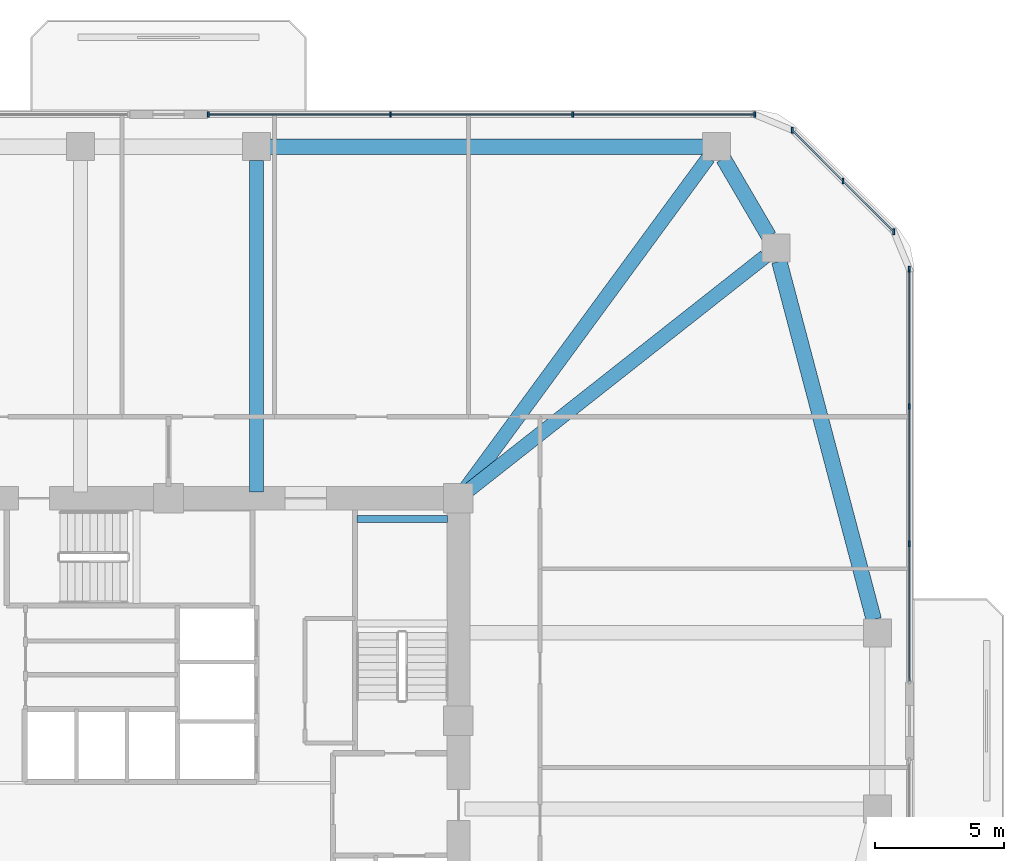
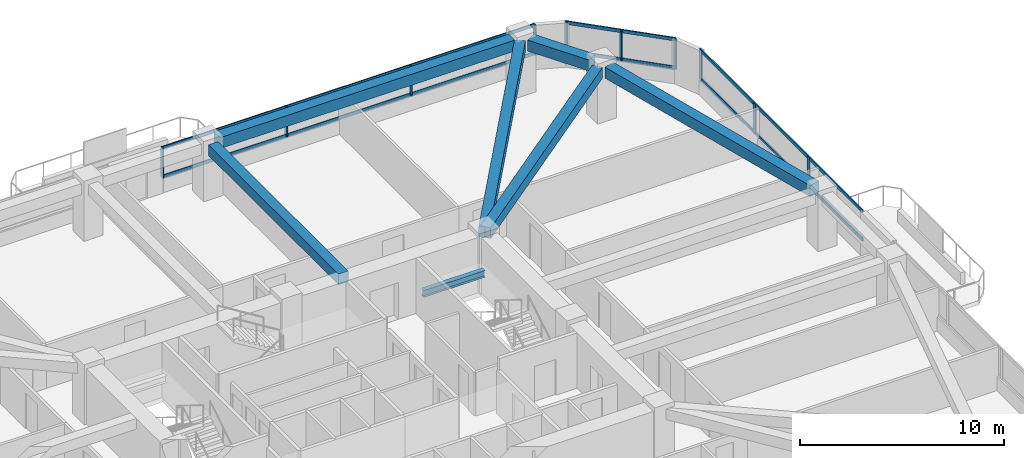
# One storey, part 7 of 14: 16 members, 7 beams, 3 elements without a shape of their own.
"""IFC4 building model written with IfcOpenShell, lengths in metres."""

from ifc_helpers import new_model, si_unit, derived_unit, direction, frame, origin, origin_2d, place, context, subcontext, project, spatial, rectangle, i_section, extrude, material, material_profile, profile_set, type_object, element, aggregate, save


model = new_model("IFC4")

# Units and contexts
model_context = context("Model", 3, precision=1e-05, world=origin(), true_north=direction((0.0, 1.0)))
body_context = subcontext(model_context, "Body", "Model", "MODEL_VIEW")
ifc_project = project(units=[si_unit("LENGTHUNIT", "METRE"), si_unit("AREAUNIT", "SQUARE_METRE"), si_unit("VOLUMEUNIT", "CUBIC_METRE"), si_unit("PLANEANGLEUNIT", "RADIAN"), si_unit("MASSUNIT", "GRAM", prefix="KILO"), derived_unit("THERMALTRANSMITTANCEUNIT", [(si_unit("POWERUNIT", "WATT"), 1), (si_unit("LENGTHUNIT", "METRE"), -2), (si_unit("THERMODYNAMICTEMPERATUREUNIT", "KELVIN"), -1)])], contexts=[model_context])

# Site, building, storey
site_placement = place(None, origin())
site = spatial("IfcSite", under=ifc_project, at=site_placement, CompositionType="ELEMENT")
building_placement = place(site_placement, origin())
building = spatial("IfcBuilding", under=site, at=building_placement, Name="Koralith Skygarden Medical Center", CompositionType="ELEMENT")
storey_placement = place(building_placement, frame((0.0, 0.0, 45.5400390625)))
storey = spatial("IfcBuildingStorey", under=building, at=storey_placement, Name="L11", CompositionType="ELEMENT", Elevation=45.5400390625)

# Curtain wall, members
ifc_material_1 = material(Name="Clear Laminated Glass", Category="glass")
curtain_wall_type = type_object("IfcCurtainWallType", Name="CW-2 Zone 1 Hurricane Unitised Curtain Wall", PredefinedType="NOTDEFINED", material=ifc_material_1)
curtain_wall_1_placement = place(storey_placement, origin())
curtain_wall_1 = element("IfcCurtainWall", 1, at=curtain_wall_1_placement, inside=storey, type_object=curtain_wall_type, Name="Curtain Wall CW-L11-E-R", PredefinedType="NOTDEFINED")
ifc_material_2 = material(Name="Aluminium 6063-T6", Category="aluminium")
ifc_material_profile_1 = material_profile(ifc_material_2, rectangle(XDim=0.071044921875, YDim=0.219970703125, at=origin_2d()), Name="MUL71X220")
ifc_profile_set_1 = profile_set([ifc_material_profile_1], Name="Aluminium 6063-T6")
member_type_1 = type_object("IfcMemberType", Name="CW-2 Extruded Mullion 71x220", PredefinedType="MULLION", material=ifc_profile_set_1)
member_1_placement = place(storey_placement, frame((65.6201171875, 32.741943359375, 0.849853515625), z_axis=(0.0, 0.0, 1.0), x_axis=(1.0, 0.0, 0.0)))
member_1 = element("IfcMember", 2, at=member_1_placement, type_object=member_type_1, Name="CW-L11-E-R Mullion 2", PredefinedType="MULLION", context=body_context, shape_type="SweptSolid", body=[
    extrude(rectangle(XDim=0.071044921875, YDim=0.219970703125, at=origin_2d()), origin(), (0.0, 0.0, 1.0), 1.800048828125),
])
member_2_placement = place(storey_placement, frame((65.6201171875, 38.04296875, 0.849853515625), z_axis=(0.0, 0.0, 1.0), x_axis=(1.0, 0.0, 0.0)))
member_2 = element("IfcMember", 3, at=member_2_placement, type_object=member_type_1, Name="CW-L11-E-R Mullion 3", PredefinedType="MULLION", context=body_context, shape_type="SweptSolid", body=[
    extrude(rectangle(XDim=0.071044921875, YDim=0.219970703125, at=origin_2d()), origin(), (0.0, 0.0, 1.0), 1.800048828125),
])
member_3_placement = place(storey_placement, frame((65.6201171875, 43.344970703125, 0.849853515625), z_axis=(0.0, 0.0, 1.0), x_axis=(1.0, 0.0, 0.0)))
member_3 = element("IfcMember", 4, at=member_3_placement, type_object=member_type_1, Name="CW-L11-E-R Mullion 4", PredefinedType="MULLION", context=body_context, shape_type="SweptSolid", body=[
    extrude(rectangle(XDim=0.071044921875, YDim=0.219970703125, at=origin_2d()), origin(), (0.0, 0.0, 1.0), 1.800048828125),
])

curtain_wall_2_placement = place(storey_placement, origin())
curtain_wall_2 = element("IfcCurtainWall", 5, at=curtain_wall_2_placement, inside=storey, type_object=curtain_wall_type, Name="Curtain Wall CW-L11-NE", PredefinedType="NOTDEFINED")
member_4_placement = place(storey_placement, frame((65.01904296875, 44.7958984375, 0.849853515625), z_axis=(0.0, 0.0, 1.0), x_axis=(1.0, 0.0, 0.0)))
member_4 = element("IfcMember", 6, at=member_4_placement, type_object=member_type_1, Name="CW-L11-NE Mullion 1", PredefinedType="MULLION", context=body_context, shape_type="SweptSolid", body=[
    extrude(rectangle(XDim=0.071044921875, YDim=0.219970703125, at=origin_2d()), origin(), (0.0, 0.0, 1.0), 1.800048828125),
])
member_5_placement = place(storey_placement, frame((63.05810546875, 46.758056640625, 0.849853515625), z_axis=(0.0, 0.0, 1.0), x_axis=(1.0, 0.0, 0.0)))
member_5 = element("IfcMember", 7, at=member_5_placement, type_object=member_type_1, Name="CW-L11-NE Mullion 2", PredefinedType="MULLION", context=body_context, shape_type="SweptSolid", body=[
    extrude(rectangle(XDim=0.071044921875, YDim=0.219970703125, at=origin_2d()), origin(), (0.0, 0.0, 1.0), 1.800048828125),
])
member_6_placement = place(storey_placement, frame((61.095947265625, 48.718994140625, 0.849853515625), z_axis=(0.0, 0.0, 1.0), x_axis=(1.0, 0.0, 0.0)))
member_6 = element("IfcMember", 8, at=member_6_placement, type_object=member_type_1, Name="CW-L11-NE Mullion 3", PredefinedType="MULLION", context=body_context, shape_type="SweptSolid", body=[
    extrude(rectangle(XDim=0.071044921875, YDim=0.219970703125, at=origin_2d()), origin(), (0.0, 0.0, 1.0), 1.800048828125),
])

curtain_wall_3_placement = place(storey_placement, origin())
curtain_wall_3 = element("IfcCurtainWall", 9, at=curtain_wall_3_placement, inside=storey, type_object=curtain_wall_type, Name="Curtain Wall CW-L11-N-L", PredefinedType="NOTDEFINED")
member_7_placement = place(storey_placement, frame((59.64501953125, 49.320068359375, 0.849853515625), z_axis=(0.0, 0.0, 1.0), x_axis=(1.0, 0.0, 0.0)))
member_7 = element("IfcMember", 10, at=member_7_placement, type_object=member_type_1, Name="CW-L11-N-L Mullion 1", PredefinedType="MULLION", context=body_context, shape_type="SweptSolid", body=[
    extrude(rectangle(XDim=0.071044921875, YDim=0.219970703125, at=origin_2d()), origin(), (0.0, 0.0, 1.0), 1.800048828125),
])
member_8_placement = place(storey_placement, frame((52.610107421875, 49.320068359375, 0.849853515625), z_axis=(0.0, 0.0, 1.0), x_axis=(1.0, 0.0, 0.0)))
member_8 = element("IfcMember", 11, at=member_8_placement, type_object=member_type_1, Name="CW-L11-N-L Mullion 2", PredefinedType="MULLION", context=body_context, shape_type="SweptSolid", body=[
    extrude(rectangle(XDim=0.071044921875, YDim=0.219970703125, at=origin_2d()), origin(), (0.0, 0.0, 1.0), 1.800048828125),
])
member_9_placement = place(storey_placement, frame((45.574951171875, 49.320068359375, 0.849853515625), z_axis=(0.0, 0.0, 1.0), x_axis=(1.0, 0.0, 0.0)))
member_9 = element("IfcMember", 12, at=member_9_placement, type_object=member_type_1, Name="CW-L11-N-L Mullion 3", PredefinedType="MULLION", context=body_context, shape_type="SweptSolid", body=[
    extrude(rectangle(XDim=0.071044921875, YDim=0.219970703125, at=origin_2d()), origin(), (0.0, 0.0, 1.0), 1.800048828125),
])
member_10_placement = place(storey_placement, frame((38.5400390625, 49.320068359375, 0.849853515625), z_axis=(0.0, 0.0, 1.0), x_axis=(1.0, 0.0, 0.0)))
member_10 = element("IfcMember", 13, at=member_10_placement, type_object=member_type_1, Name="CW-L11-N-L Mullion 4", PredefinedType="MULLION", context=body_context, shape_type="SweptSolid", body=[
    extrude(rectangle(XDim=0.071044921875, YDim=0.219970703125, at=origin_2d()), origin(), (0.0, 0.0, 1.0), 1.800048828125),
])

# Member
ifc_material_profile_2 = material_profile(ifc_material_2, rectangle(XDim=0.06591796875, YDim=0.197998046875, at=origin_2d()), Name="TRN66X198")
ifc_profile_set_2 = profile_set([ifc_material_profile_2], Name="Aluminium 6063-T6")
member_type_2 = type_object("IfcMemberType", Name="CW-2 Thermal Transom 66x198", PredefinedType="USERDEFINED", material=ifc_profile_set_2)
member_11_placement = place(storey_placement, frame((65.6201171875, 27.43994140625, 0.89990234375), z_axis=(0.0, 1.0, 0.0), x_axis=(-1.0, 0.0, 0.0)))
member_11 = element("IfcMember", 14, at=member_11_placement, type_object=member_type_2, Name="CW-L11-E-R Transom 1", ObjectType="TRANSOM", PredefinedType="USERDEFINED", context=body_context, shape_type="SweptSolid", body=[
    extrude(rectangle(XDim=0.06591796875, YDim=0.197998046875, at=origin_2d()), origin(), (0.0, 0.0, 1.0), 15.905029296875),
])

member_12_placement = place(storey_placement, frame((65.6201171875, 27.43994140625, 2.599853515625), z_axis=(0.0, 1.0, 0.0), x_axis=(-1.0, 0.0, 0.0)))
member_12 = element("IfcMember", 15, at=member_12_placement, type_object=member_type_2, Name="CW-L11-E-R Transom 2", ObjectType="TRANSOM", PredefinedType="USERDEFINED", context=body_context, shape_type="SweptSolid", body=[
    extrude(rectangle(XDim=0.06591796875, YDim=0.197998046875, at=origin_2d()), origin(), (0.0, 0.0, 1.0), 15.905029296875),
])

aggregate(curtain_wall_1, [member_1, member_2, member_3, member_11, member_12])

member_13_placement = place(storey_placement, frame((65.01904296875, 44.7958984375, 0.89990234375), z_axis=(-0.707106781187, 0.707106781187, 0.0), x_axis=(-0.707106781187, -0.707106781187, 0.0)))
member_13 = element("IfcMember", 16, at=member_13_placement, type_object=member_type_2, Name="CW-L11-NE Transom 1", ObjectType="TRANSOM", PredefinedType="USERDEFINED", context=body_context, shape_type="SweptSolid", body=[
    extrude(rectangle(XDim=0.06591796875, YDim=0.197998046875, at=origin_2d()), origin(), (0.0, 0.0, 1.0), 5.548095703125),
])

member_14_placement = place(storey_placement, frame((65.01904296875, 44.7958984375, 2.599853515625), z_axis=(-0.707106781187, 0.707106781187, 0.0), x_axis=(-0.707106781187, -0.707106781187, 0.0)))
member_14 = element("IfcMember", 17, at=member_14_placement, type_object=member_type_2, Name="CW-L11-NE Transom 2", ObjectType="TRANSOM", PredefinedType="USERDEFINED", context=body_context, shape_type="SweptSolid", body=[
    extrude(rectangle(XDim=0.06591796875, YDim=0.197998046875, at=origin_2d()), origin(), (0.0, 0.0, 1.0), 5.548095703125),
])

aggregate(curtain_wall_2, [member_4, member_5, member_6, member_13, member_14])

member_15_placement = place(storey_placement, frame((59.64501953125, 49.320068359375, 0.89990234375), z_axis=(-1.0, 0.0, 0.0), x_axis=(0.0, -1.0, 0.0)))
member_15 = element("IfcMember", 18, at=member_15_placement, type_object=member_type_2, Name="CW-L11-N-L Transom 1", ObjectType="TRANSOM", PredefinedType="USERDEFINED", context=body_context, shape_type="SweptSolid", body=[
    extrude(rectangle(XDim=0.06591796875, YDim=0.197998046875, at=origin_2d()), origin(), (0.0, 0.0, 1.0), 21.10498046875),
])

member_16_placement = place(storey_placement, frame((59.64501953125, 49.320068359375, 2.599853515625), z_axis=(-1.0, 0.0, 0.0), x_axis=(0.0, -1.0, 0.0)))
member_16 = element("IfcMember", 19, at=member_16_placement, type_object=member_type_2, Name="CW-L11-N-L Transom 2", ObjectType="TRANSOM", PredefinedType="USERDEFINED", context=body_context, shape_type="SweptSolid", body=[
    extrude(rectangle(XDim=0.06591796875, YDim=0.197998046875, at=origin_2d()), origin(), (0.0, 0.0, 1.0), 21.10498046875),
])

aggregate(curtain_wall_3, [member_7, member_8, member_9, member_10, member_15, member_16])

# Beams
ifc_material_3 = material(Name="Steel ASTM A992 Grade 50", Category="steel")
ifc_material_profile_3 = material_profile(ifc_material_3, i_section(OverallWidth=0.260009765625, OverallDepth=0.4150390625, WebThickness=0.010009765625, FlangeThickness=0.016845703125, at=origin_2d()), Name="W16X67")
ifc_profile_set_3 = profile_set([ifc_material_profile_3], Name="Steel ASTM A992 Grade 50")
beam_type_1 = type_object("IfcBeamType", Name="Clinical Floor Joist W16X67", PredefinedType="JOIST", material=ifc_profile_set_3)
beam_1_placement = place(storey_placement, frame((44.280029296875, 33.699951171875, 1.391845703125), z_axis=(1.0, 0.0, 0.0), x_axis=(0.0, 1.0, 0.0)))
element("IfcBeam", 20, at=beam_1_placement, inside=storey, type_object=beam_type_1, Name="L11 Stair ST2 Half-Landing Support Beam 1B", PredefinedType="JOIST", context=body_context, shape_type="SweptSolid", body=[
    extrude(i_section(OverallWidth=0.260009765625, OverallDepth=0.4150390625, WebThickness=0.010009765625, FlangeThickness=0.016845703125, at=origin_2d()), origin(), (0.0, 0.0, 1.0), 3.489990234375),
])
ifc_material_4 = material(Name="Concrete C45/55", Category="concrete")
ifc_material_profile_4 = material_profile(ifc_material_4, rectangle(XDim=0.550048828125, YDim=0.639892578125, at=origin_2d()), Name="RCB550X640")
ifc_profile_set_4 = profile_set([ifc_material_profile_4], Name="Concrete C45/55")
beam_type_2 = type_object("IfcBeamType", Name="Radial Collector Beam RCB550X640", PredefinedType="BEAM", material=ifc_profile_set_4)
beam_2_placement = place(storey_placement, frame((48.39599609375, 34.655029296875, 3.0), z_axis=(0.785497250365, 0.618865146594, 0.0), x_axis=(-0.618865146594, 0.785497250365, 0.0)))
element("IfcBeam", 21, at=beam_2_placement, inside=storey, type_object=beam_type_2, Name="L11 Radial Collector Beam RB-10", PredefinedType="BEAM", context=body_context, shape_type="SweptSolid", body=[
    extrude(rectangle(XDim=0.550048828125, YDim=0.639892578125, at=origin_2d()), origin(), (0.0, 0.0, 1.0), 14.828857421875),
])
beam_3_placement = place(storey_placement, frame((48.347900390625, 34.701904296875, 3.0), z_axis=(0.591710803277, 0.806150311843, 0.0), x_axis=(-0.806150311843, 0.591710803277, 0.0)))
element("IfcBeam", 22, at=beam_3_placement, inside=storey, type_object=beam_type_2, Name="L11 Radial Collector Beam RB-11", PredefinedType="BEAM", context=body_context, shape_type="SweptSolid", body=[
    extrude(rectangle(XDim=0.550048828125, YDim=0.639892578125, at=origin_2d()), origin(), (0.0, 0.0, 1.0), 16.0654296875),
])
beam_4_placement = place(storey_placement, frame((40.39990234375, 34.75, 3.0), z_axis=(0.0, 1.0, 0.0), x_axis=(-1.0, 0.0, 0.0)))
element("IfcBeam", 23, at=beam_4_placement, inside=storey, type_object=beam_type_2, Name="L11 Radial Collector Beam RB-12", PredefinedType="BEAM", context=body_context, shape_type="SweptSolid", body=[
    extrude(rectangle(XDim=0.550048828125, YDim=0.639892578125, at=origin_2d()), origin(), (0.0, 0.0, 1.0), 12.800048828125),
])
ifc_material_profile_5 = material_profile(ifc_material_4, rectangle(XDim=0.60009765625, YDim=0.659912109375, at=origin_2d()), Name="RCB600X660")
ifc_profile_set_5 = profile_set([ifc_material_profile_5], Name="Concrete C45/55")
beam_type_3 = type_object("IfcBeamType", Name="Zone 1 Spandrel Beam RCB600X660", PredefinedType="SPANDREL", material=ifc_profile_set_5)
beam_5_placement = place(storey_placement, frame((64.2451171875, 29.81201171875, 2.989990234375), z_axis=(-0.255088684842, 0.966917660851, 0.0), x_axis=(-0.966917660851, -0.255088684842, 0.0)))
element("IfcBeam", 24, at=beam_5_placement, inside=storey, type_object=beam_type_3, Name="L11 Perimeter Spandrel Beam SP-09", PredefinedType="SPANDREL", context=body_context, shape_type="SweptSolid", body=[
    extrude(rectangle(XDim=0.60009765625, YDim=0.659912109375, at=origin_2d()), origin(), (0.0, 0.0, 1.0), 14.309326171875),
])
beam_6_placement = place(storey_placement, frame((60.19189453125, 44.617919921875, 2.989990234375), z_axis=(-0.504608092658, 0.863348523381, 0.0), x_axis=(-0.863348523381, -0.504608092658, 0.0)))
element("IfcBeam", 25, at=beam_6_placement, inside=storey, type_object=beam_type_3, Name="L11 Perimeter Spandrel Beam SP-10", PredefinedType="SPANDREL", context=body_context, shape_type="SweptSolid", body=[
    extrude(rectangle(XDim=0.60009765625, YDim=0.659912109375, at=origin_2d()), origin(), (0.0, 0.0, 1.0), 3.479736328125),
])
beam_7_placement = place(storey_placement, frame((57.637939453125, 48.080078125, 2.989990234375), z_axis=(-1.0, 0.0, 0.0), x_axis=(0.0, -1.0, 0.0)))
element("IfcBeam", 26, at=beam_7_placement, inside=storey, type_object=beam_type_3, Name="L11 Perimeter Spandrel Beam SP-11", PredefinedType="SPANDREL", context=body_context, shape_type="SweptSolid", body=[
    extrude(rectangle(XDim=0.60009765625, YDim=0.659912109375, at=origin_2d()), origin(), (0.0, 0.0, 1.0), 16.7080078125),
])

save(model, "model.ifc")
